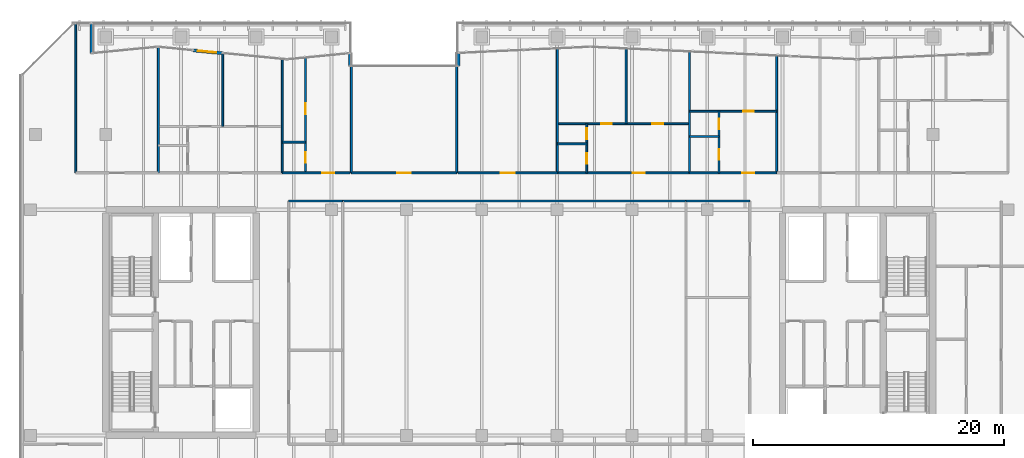
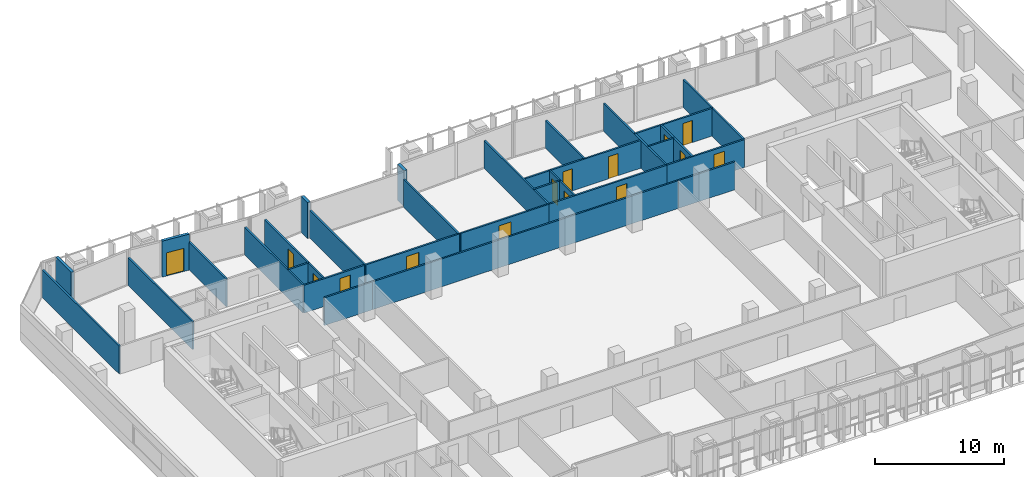
# One storey, part 30 of 39: 30 walls, 15 doors, 15 openings.
"""IFC4 building model written with IfcOpenShell, lengths in metres."""

from ifc_helpers import new_model, si_unit, direction, frame, frame_2d, origin, place, context, subcontext, project, spatial, rectangle, extrude, material, layer, layer_set, type_object, element, fill, save


model = new_model("IFC4")

# Units and contexts
model_context = context("Model", 3, precision=1e-05, world=origin(), true_north=direction((0.0, 1.0)))
body_context = subcontext(model_context, "Body", "Model", "MODEL_VIEW")
ifc_project = project(units=[si_unit("LENGTHUNIT", "METRE"), si_unit("AREAUNIT", "SQUARE_METRE"), si_unit("VOLUMEUNIT", "CUBIC_METRE"), si_unit("PLANEANGLEUNIT", "RADIAN"), si_unit("MASSUNIT", "GRAM", prefix="KILO")], contexts=[model_context])

# Site, building, storey
site_placement = place(None, origin())
site = spatial("IfcSite", under=ifc_project, at=site_placement, CompositionType="ELEMENT")
building_placement = place(site_placement, origin())
building = spatial("IfcBuilding", under=site, at=building_placement, Name="Tanjung Sevakor Pilgrim Tower", CompositionType="ELEMENT")
storey_placement = place(building_placement, frame((0.0, 0.0, 108.570068359375)))
storey = spatial("IfcBuildingStorey", under=building, at=storey_placement, Name="L30", CompositionType="ELEMENT", Elevation=108.570068359375)

# Walls
ifc_material_1 = material(Name="Concrete C40/50", Category="concrete")
ifc_layer_1 = layer(ifc_material_1, 0.14990234375)
ifc_layer_set_1 = layer_set([ifc_layer_1], Name="WT-COMP-150")
wall_type_1 = type_object("IfcWallType", Name="WT-COMP-150", PredefinedType="SOLIDWALL", material=ifc_layer_set_1)
wall_1_placement = place(storey_placement, frame((38.60009765625, 43.300048828125, 0.0), z_axis=(0.0, 0.0, 1.0), x_axis=(1.0, 0.0, 0.0)))
element("IfcWall", 1, at=wall_1_placement, inside=storey, type_object=wall_type_1, Name="L30 Partition IW-L30-032", PredefinedType="SOLIDWALL", context=body_context, shape_type="SweptSolid", body=[
    extrude(rectangle(XDim=4.2998046875, YDim=0.14990234375, at=frame_2d((2.14990234375, 0.0))), origin(), (0.0, 0.0, 1.0), 2.6298828125),
])
wall_2_placement = place(storey_placement, frame((42.89990234375, 43.300048828125, 0.0), z_axis=(0.0, 0.0, 1.0), x_axis=(1.0, 0.0, 0.0)))
element("IfcWall", 2, at=wall_2_placement, inside=storey, type_object=wall_type_1, Name="L30 Partition IW-L30-035", PredefinedType="SOLIDWALL", context=body_context, shape_type="SweptSolid", body=[
    extrude(rectangle(XDim=27.400146484375, YDim=0.14990234375, at=frame_2d((13.7001953125, 0.0))), origin(), (0.0, 0.0, 1.0), 2.6298828125),
])
wall_3_placement = place(storey_placement, frame((70.300048828125, 43.300048828125, 0.0), z_axis=(0.0, 0.0, 1.0), x_axis=(1.0, 0.0, 0.0)))
element("IfcWall", 3, at=wall_3_placement, inside=storey, type_object=wall_type_1, Name="L30 Partition IW-L30-041", PredefinedType="SOLIDWALL", context=body_context, shape_type="SweptSolid", body=[
    extrude(rectangle(XDim=5.099853515625, YDim=0.14990234375, at=frame_2d((2.5498046875, 0.0))), origin(), (0.0, 0.0, 1.0), 2.6298828125),
])

# Wall, opening, door
wall_4_placement = place(storey_placement, frame((43.60009765625, 45.550048828125, 0.0), z_axis=(0.0, 0.0, 1.0), x_axis=(1.0, 0.0, 0.0)))
wall_4 = element("IfcWall", 4, at=wall_4_placement, inside=storey, type_object=wall_type_1, Name="L30 Partition IW-L30-053", PredefinedType="SOLIDWALL", context=body_context, shape_type="SweptSolid", body=[
    extrude(rectangle(XDim=8.39990234375, YDim=0.14990234375, at=frame_2d((4.199951171875, 0.0))), origin(), (0.0, 0.0, 1.0), 2.6298828125),
])
opening_1_placement = place(wall_4_placement, frame((3.64990234375, 0.0, 0.0)))
opening_1 = element("IfcOpeningElement", 5, at=opening_1_placement, cuts=wall_4, Name="Opening ID-RM2", PredefinedType="OPENING", context=body_context, shape_type="SweptSolid", body=[
    extrude(rectangle(XDim=1.10009765625, YDim=2.14990234375, at=frame_2d((0.550048828125, 1.074951171875))), frame((0.0, 0.0849609375, 0.0), z_axis=(0.0, -1.0, 0.0), x_axis=(1.0, 0.0, 0.0)), (0.0, 0.0, 1.0), 0.169921875),
])
ifc_material_2 = material(Name="Hardwood Timber", Category="wood")
door_type_1 = type_object("IfcDoorType", Name="DT-INT-1100", OperationType="NOTDEFINED", PredefinedType="DOOR", material=ifc_material_2)
door_1_placement = place(opening_1_placement, origin())
door_1 = element("IfcDoor", 6, at=door_1_placement, inside=storey, type_object=door_type_1, Name="L30 North Cleft Reading Room Door", OperationType="SINGLE_SWING_LEFT", OverallHeight=2.14990234375, OverallWidth=1.10009765625, PredefinedType="DOOR", context=body_context, shape_type="SweptSolid", body=[
    extrude(rectangle(XDim=1.10009765625, YDim=2.14990234375, at=frame_2d((0.550048828125, 1.074951171875))), frame((0.0, 0.02490234375, 0.0), z_axis=(0.0, -1.0, 0.0), x_axis=(1.0, 0.0, 0.0)), (0.0, 0.0, 1.0), 0.050048828125),
])
fill(opening_1, door_1)

# Walls
for number, where, z_axis, x_axis, name in (
    (7, (43.60009765625, 45.550048828125, 0.0), (0.0, 0.0, 1.0), (0.0, 1.0, 0.0), "L30 Partition IW-L30-054"),
    (8, (52.0, 45.550048828125, 0.0), (0.0, 0.0, 1.0), (0.0, 1.0, 0.0), "L30 Partition IW-L30-055"),
):
    element("IfcWall", number, at=place(storey_placement, frame(where, z_axis=z_axis, x_axis=x_axis)), inside=storey, type_object=wall_type_1, Name=name, PredefinedType="SOLIDWALL", context=body_context, shape_type="SweptSolid", body=[
        extrude(rectangle(XDim=8.52490234375, YDim=0.14990234375, at=frame_2d((4.262451171875, 0.0))), origin(), (0.0, 0.0, 1.0), 2.6298828125),
    ])
wall_5_placement = place(storey_placement, frame((21.60009765625, 45.550048828125, 0.0), z_axis=(0.0, 0.0, 1.0), x_axis=(0.0, 1.0, 0.0)))
element("IfcWall", 9, at=wall_5_placement, inside=storey, type_object=wall_type_1, Name="L30 Partition IW-L30-089", PredefinedType="SOLIDWALL", context=body_context, shape_type="SweptSolid", body=[
    extrude(rectangle(XDim=11.925048828125, YDim=0.14990234375, at=frame_2d((5.96240234375, 0.0))), origin(), (0.0, 0.0, 1.0), 2.6298828125),
])
wall_6_placement = place(storey_placement, frame((28.194091796875, 45.550048828125, 0.0), z_axis=(0.0, 0.0, 1.0), x_axis=(0.0, 1.0, 0.0)))
element("IfcWall", 10, at=wall_6_placement, inside=storey, type_object=wall_type_1, Name="L30 Partition IW-L30-090", PredefinedType="SOLIDWALL", context=body_context, shape_type="SweptSolid", body=[
    extrude(rectangle(XDim=10.0400390625, YDim=0.14990234375, at=frame_2d((5.02001953125, 0.0))), origin(), (0.0, 0.0, 1.0), 2.6298828125),
])
wall_7_placement = place(storey_placement, frame((38.0849609375, 45.550048828125, 0.0), z_axis=(0.0, 0.0, 1.0), x_axis=(0.0, 1.0, 0.0)))
element("IfcWall", 11, at=wall_7_placement, inside=storey, type_object=wall_type_1, Name="L30 Partition IW-L30-092", PredefinedType="SOLIDWALL", context=body_context, shape_type="SweptSolid", body=[
    extrude(rectangle(XDim=9.079833984375, YDim=0.14990234375, at=frame_2d((4.5400390625, 0.0))), origin(), (0.0, 0.0, 1.0), 2.6298828125),
])

# Wall, opening, door
wall_8_placement = place(storey_placement, frame((38.0849609375, 45.550048828125, 0.0), z_axis=(0.0, 0.0, 1.0), x_axis=(1.0, 0.0, 0.0)))
wall_8 = element("IfcWall", 12, at=wall_8_placement, inside=storey, type_object=wall_type_1, Name="L30 Partition IW-L30-100", PredefinedType="SOLIDWALL", context=body_context, shape_type="SweptSolid", body=[
    extrude(rectangle(XDim=5.39501953125, YDim=0.14990234375, at=frame_2d((2.697509765625, 0.0))), origin(), (0.0, 0.0, 1.0), 2.6298828125),
])
opening_2_placement = place(wall_8_placement, frame((3.1875, 0.0, 0.0)))
opening_2 = element("IfcOpeningElement", 13, at=opening_2_placement, cuts=wall_8, Name="Opening ID-FD2", PredefinedType="OPENING", context=body_context, shape_type="SweptSolid", body=[
    extrude(rectangle(XDim=0.949951171875, YDim=2.14990234375, at=frame_2d((0.47509765625, 1.074951171875))), frame((0.0, 0.0849609375, 0.0), z_axis=(0.0, -1.0, 0.0), x_axis=(1.0, 0.0, 0.0)), (0.0, 0.0, 1.0), 0.169921875),
])
ifc_material_3 = material(Name="Fire-Rated Timber", Category="wood")
door_type_2 = type_object("IfcDoorType", Name="DT-FIRE-950", OperationType="NOTDEFINED", PredefinedType="DOOR", material=ifc_material_3)
door_2_placement = place(opening_2_placement, origin())
door_2 = element("IfcDoor", 14, at=door_2_placement, inside=storey, type_object=door_type_2, Name="Hotel Guestroom Entrance", OperationType="SINGLE_SWING_LEFT", OverallHeight=2.14990234375, OverallWidth=0.949951171875, PredefinedType="DOOR", context=body_context, shape_type="SweptSolid", body=[
    extrude(rectangle(XDim=0.949951171875, YDim=2.14990234375, at=frame_2d((0.47509765625, 1.074951171875))), frame((0.0, 0.02490234375, 0.0), z_axis=(0.0, -1.0, 0.0), x_axis=(1.0, 0.0, 0.0)), (0.0, 0.0, 1.0), 0.050048828125),
])
fill(opening_2, door_2)

# Wall
wall_9_placement = place(storey_placement, frame((60.03271484375, 45.550048828125, 0.0), z_axis=(0.0, 0.0, 1.0), x_axis=(0.0, 1.0, 0.0)))
element("IfcWall", 15, at=wall_9_placement, inside=storey, type_object=wall_type_1, Name="L30 Partition IW-L30-102", PredefinedType="SOLIDWALL", context=body_context, shape_type="SweptSolid", body=[
    extrude(rectangle(XDim=9.921875, YDim=0.14990234375, at=frame_2d((4.9609375, 0.0))), origin(), (0.0, 0.0, 1.0), 2.6298828125),
])

# Wall, opening, door
wall_10_placement = place(storey_placement, frame((52.1201171875, 45.550048828125, 0.0), z_axis=(0.0, 0.0, 1.0), x_axis=(1.0, 0.0, 0.0)))
wall_10 = element("IfcWall", 16, at=wall_10_placement, inside=storey, type_object=wall_type_1, Name="L30 Partition IW-L30-103", PredefinedType="SOLIDWALL", context=body_context, shape_type="SweptSolid", body=[
    extrude(rectangle(XDim=7.91259765625, YDim=0.14990234375, at=frame_2d((3.956298828125, 0.0))), origin(), (0.0, 0.0, 1.0), 2.6298828125),
])
opening_3_placement = place(wall_10_placement, frame((3.406494140625, 0.0, 0.0)))
opening_3 = element("IfcOpeningElement", 17, at=opening_3_placement, cuts=wall_10, Name="Opening ID-FD0", PredefinedType="OPENING", context=body_context, shape_type="SweptSolid", body=[
    extrude(rectangle(XDim=1.10009765625, YDim=2.14990234375, at=frame_2d((0.550048828125, 1.074951171875))), frame((0.0, 0.0849609375, 0.0), z_axis=(0.0, -1.0, 0.0), x_axis=(1.0, 0.0, 0.0)), (0.0, 0.0, 1.0), 0.169921875),
])
ifc_material_4 = material(Name="Fire-Rated Steel S355J2", Category="steel")
door_type_3 = type_object("IfcDoorType", Name="DT-FIRE-1100", OperationType="NOTDEFINED", PredefinedType="DOOR", material=ifc_material_4)
door_3_placement = place(opening_3_placement, origin())
door_3 = element("IfcDoor", 18, at=door_3_placement, inside=storey, type_object=door_type_3, Name="Council Room Door", OperationType="SINGLE_SWING_RIGHT", OverallHeight=2.14990234375, OverallWidth=1.10009765625, PredefinedType="DOOR", context=body_context, shape_type="SweptSolid", body=[
    extrude(rectangle(XDim=1.10009765625, YDim=2.14990234375, at=frame_2d((0.550048828125, 1.074951171875))), frame((0.0, 0.02490234375, 0.0), z_axis=(0.0, -1.0, 0.0), x_axis=(1.0, 0.0, 0.0)), (0.0, 0.0, 1.0), 0.050048828125),
])
fill(opening_3, door_3)

# Wall
wall_11_placement = place(storey_placement, frame((70.583251953125, 45.550048828125, 0.0), z_axis=(0.0, 0.0, 1.0), x_axis=(0.0, 1.0, 0.0)))
element("IfcWall", 19, at=wall_11_placement, inside=storey, type_object=wall_type_1, Name="L30 Partition IW-L30-104", PredefinedType="SOLIDWALL", context=body_context, shape_type="SweptSolid", body=[
    extrude(rectangle(XDim=9.67236328125, YDim=0.14990234375, at=frame_2d((4.836181640625, 0.0))), origin(), (0.0, 0.0, 1.0), 2.6298828125),
])

# Wall, opening, door
wall_12_placement = place(storey_placement, frame((60.03271484375, 45.550048828125, 0.0), z_axis=(0.0, 0.0, 1.0), x_axis=(1.0, 0.0, 0.0)))
wall_12 = element("IfcWall", 20, at=wall_12_placement, inside=storey, type_object=wall_type_1, Name="L30 Partition IW-L30-109", PredefinedType="SOLIDWALL", context=body_context, shape_type="SweptSolid", body=[
    extrude(rectangle(XDim=10.550537109375, YDim=0.14990234375, at=frame_2d((5.275390625, 0.0))), origin(), (0.0, 0.0, 1.0), 2.6298828125),
])
opening_4_placement = place(wall_12_placement, frame((6.01513671875, 0.0, 0.0)))
opening_4 = element("IfcOpeningElement", 21, at=opening_4_placement, cuts=wall_12, Name="Opening ID-FD2", PredefinedType="OPENING", context=body_context, shape_type="SweptSolid", body=[
    extrude(rectangle(XDim=0.949951171875, YDim=2.14990234375, at=frame_2d((0.47509765625, 1.074951171875))), frame((0.0, 0.0849609375, 0.0), z_axis=(0.0, -1.0, 0.0), x_axis=(1.0, 0.0, 0.0)), (0.0, 0.0, 1.0), 0.169921875),
])
door_4_placement = place(opening_4_placement, origin())
door_4 = element("IfcDoor", 22, at=door_4_placement, inside=storey, type_object=door_type_2, Name="Suite Entrance", OperationType="SINGLE_SWING_LEFT", OverallHeight=2.14990234375, OverallWidth=0.949951171875, PredefinedType="DOOR", context=body_context, shape_type="SweptSolid", body=[
    extrude(rectangle(XDim=0.949951171875, YDim=2.14990234375, at=frame_2d((0.47509765625, 1.074951171875))), frame((0.0, 0.02490234375, 0.0), z_axis=(0.0, -1.0, 0.0), x_axis=(1.0, 0.0, 0.0)), (0.0, 0.0, 1.0), 0.050048828125),
])
fill(opening_4, door_4)

# Wall
wall_13_placement = place(storey_placement, frame((77.536865234375, 45.550048828125, 0.0), z_axis=(0.0, 0.0, 1.0), x_axis=(0.0, 1.0, 0.0)))
element("IfcWall", 23, at=wall_13_placement, inside=storey, type_object=wall_type_1, Name="L30 Partition IW-L30-110", PredefinedType="SOLIDWALL", context=body_context, shape_type="SweptSolid", body=[
    extrude(rectangle(XDim=9.345947265625, YDim=0.14990234375, at=frame_2d((4.6728515625, 0.0))), origin(), (0.0, 0.0, 1.0), 2.6298828125),
])

# Wall, opening, door
wall_14_placement = place(storey_placement, frame((70.583251953125, 45.550048828125, 0.0), z_axis=(0.0, 0.0, 1.0), x_axis=(1.0, 0.0, 0.0)))
wall_14 = element("IfcWall", 24, at=wall_14_placement, inside=storey, type_object=wall_type_1, Name="L30 Partition IW-L30-114", PredefinedType="SOLIDWALL", context=body_context, shape_type="SweptSolid", body=[
    extrude(rectangle(XDim=6.95361328125, YDim=0.14990234375, at=frame_2d((3.476806640625, 0.0))), origin(), (0.0, 0.0, 1.0), 2.6298828125),
])
opening_5_placement = place(wall_14_placement, frame((4.216796875, 0.0, 0.0)))
opening_5 = element("IfcOpeningElement", 25, at=opening_5_placement, cuts=wall_14, Name="Opening ID-FD2", PredefinedType="OPENING", context=body_context, shape_type="SweptSolid", body=[
    extrude(rectangle(XDim=0.949951171875, YDim=2.14990234375, at=frame_2d((0.47509765625, 1.074951171875))), frame((0.0, 0.0849609375, 0.0), z_axis=(0.0, -1.0, 0.0), x_axis=(1.0, 0.0, 0.0)), (0.0, 0.0, 1.0), 0.169921875),
])
door_5_placement = place(opening_5_placement, origin())
door_5 = element("IfcDoor", 26, at=door_5_placement, inside=storey, type_object=door_type_2, Name="Residence Entrance", OperationType="SINGLE_SWING_LEFT", OverallHeight=2.14990234375, OverallWidth=0.949951171875, PredefinedType="DOOR", context=body_context, shape_type="SweptSolid", body=[
    extrude(rectangle(XDim=0.949951171875, YDim=2.14990234375, at=frame_2d((0.47509765625, 1.074951171875))), frame((0.0, 0.02490234375, 0.0), z_axis=(0.0, -1.0, 0.0), x_axis=(1.0, 0.0, 0.0)), (0.0, 0.0, 1.0), 0.050048828125),
])
fill(opening_5, door_5)

# Walls
ifc_material_5 = material(Name="Precast concrete C45/55", Category="concrete")
ifc_layer_2 = layer(ifc_material_5, 0.25)
ifc_layer_set_2 = layer_set([ifc_layer_2], Name="WT-EW-STN3")
wall_type_2 = type_object("IfcWallType", Name="WT-EW-STN3", PredefinedType="SOLIDWALL", material=ifc_layer_set_2)
wall_15_placement = place(storey_placement, frame((52.125, 55.1005859375, 0.0), z_axis=(0.0, 0.0, 1.0), x_axis=(0.0, -1.0, 0.0)))
element("IfcWall", 27, at=wall_15_placement, inside=storey, type_object=wall_type_2, Name="L30 MAIN Exterior Wall 25", PredefinedType="SOLIDWALL", context=body_context, shape_type="SweptSolid", body=[
    extrude(rectangle(XDim=1.025634765625, YDim=0.25, at=frame_2d((0.5126953125, 0.0))), origin(), (0.0, 0.0, 1.0), 3.409912109375),
])
wall_16_placement = place(storey_placement, frame((43.47509765625, 54.074951171875, 0.0), z_axis=(0.0, 0.0, 1.0), x_axis=(0.0, 1.0, 0.0)))
element("IfcWall", 28, at=wall_16_placement, inside=storey, type_object=wall_type_2, Name="L30 MAIN Exterior Wall 27", PredefinedType="SOLIDWALL", context=body_context, shape_type="SweptSolid", body=[
    extrude(rectangle(XDim=1.00732421875, YDim=0.25, at=frame_2d((0.503662109375, 0.0))), origin(), (0.0, 0.0, 1.0), 3.409912109375),
])

# Wall, opening, door
wall_17_placement = place(storey_placement, frame((33.287841796875, 55.095703125, 0.0), z_axis=(0.0, 0.0, 1.0), x_axis=(-0.995322842245, 0.096604553235, 0.0)))
wall_17 = element("IfcWall", 29, at=wall_17_placement, inside=storey, type_object=wall_type_2, Name="L30 S-Curve Terrace Threshold Wall 29", PredefinedType="SOLIDWALL", context=body_context, shape_type="SweptSolid", body=[
    extrude(rectangle(XDim=2.309814453125, YDim=0.25, at=frame_2d((1.15478515625, 0.0))), origin(), (0.0, 0.0, 1.0), 3.409912109375),
])
opening_6_placement = place(wall_17_placement, frame((0.4599609375, 0.0, 0.0)))
opening_6 = element("IfcOpeningElement", 30, at=opening_6_placement, cuts=wall_17, Name="Opening ED-TER-1500", PredefinedType="OPENING", context=body_context, shape_type="SweptSolid", body=[
    extrude(rectangle(XDim=1.5, YDim=2.199951171875, at=frame_2d((0.75, 1.10009765625))), frame((0.0, 0.135009765625, 0.0), z_axis=(0.0, -1.0, 0.0), x_axis=(1.0, 0.0, 0.0)), (0.0, 0.0, 1.0), 0.27001953125),
])
ifc_material_6 = material(Name="Anodised Aluminium and Laminated Glass", Category="aluminium")
door_type_4 = type_object("IfcDoorType", Name="DTYP-ED-TER-1500", OperationType="DOUBLE_DOOR_SINGLE_SWING", PredefinedType="DOOR", material=ifc_material_6)
door_6_placement = place(opening_6_placement, frame((1.5, 0.0, 0.0), z_axis=(0.0, 0.0, 1.0), x_axis=(-1.0, 0.0, 0.0)))
door_6 = element("IfcDoor", 31, at=door_6_placement, inside=storey, type_object=door_type_4, Name="L30 S-Curve Terrace Access Door 29", OperationType="SINGLE_SWING_LEFT", OverallHeight=2.199951171875, OverallWidth=1.5, PredefinedType="DOOR", context=body_context, shape_type="SweptSolid", body=[
    extrude(rectangle(XDim=1.5, YDim=2.199951171875, at=frame_2d((0.75, 1.10009765625))), frame((0.0, 0.02490234375, 0.0), z_axis=(0.0, -1.0, 0.0), x_axis=(1.0, 0.0, 0.0)), (0.0, 0.0, 1.0), 0.050048828125),
])
fill(opening_6, door_6)

# Walls
wall_18_placement = place(storey_placement, frame((22.875, 55.082275390625, 0.0), z_axis=(0.0, 0.0, 1.0), x_axis=(0.0, 1.0, 0.0)))
element("IfcWall", 32, at=wall_18_placement, inside=storey, type_object=wall_type_2, Name="L30 MAIN Exterior Wall 32", PredefinedType="SOLIDWALL", context=body_context, shape_type="SweptSolid", body=[
    extrude(rectangle(XDim=2.392822265625, YDim=0.25, at=frame_2d((1.1962890625, 0.0))), origin(), (0.0, 0.0, 1.0), 3.409912109375),
])
ifc_material_7 = material(Name="Gypsum Board Partition", Category="gypsum board")
ifc_layer_3 = layer(ifc_material_7, 0.14990234375)
ifc_layer_set_3 = layer_set([ifc_layer_3], Name="WT-PART-150")
wall_type_3 = type_object("IfcWallType", Name="WT-PART-150", PredefinedType="PARTITIONING", material=ifc_layer_set_3)
wall_19_placement = place(storey_placement, frame((33.33740234375, 49.25, 0.0), z_axis=(0.0, 0.0, 1.0), x_axis=(0.0, 1.0, 0.0)))
element("IfcWall", 33, at=wall_19_placement, inside=storey, type_object=wall_type_3, Name="L30 Partition IW-L30-095", PredefinedType="PARTITIONING", context=body_context, shape_type="SweptSolid", body=[
    extrude(rectangle(XDim=5.8408203125, YDim=0.14990234375, at=frame_2d((2.92041015625, 0.0))), origin(), (0.0, 0.0, 1.0), 2.6298828125),
])
wall_20_placement = place(storey_placement, frame((38.0849609375, 48.0, 0.0), z_axis=(0.0, 0.0, 1.0), x_axis=(1.0, 0.0, 0.0)))
element("IfcWall", 34, at=wall_20_placement, inside=storey, type_object=wall_type_3, Name="L30 Partition IW-L30-098", PredefinedType="PARTITIONING", context=body_context, shape_type="SweptSolid", body=[
    extrude(rectangle(XDim=1.85009765625, YDim=0.14990234375, at=frame_2d((0.925048828125, 0.0))), origin(), (0.0, 0.0, 1.0), 2.6298828125),
])

# Wall, openings, doors
wall_21_placement = place(storey_placement, frame((39.93505859375, 45.550048828125, 0.0), z_axis=(0.0, 0.0, 1.0), x_axis=(0.0, 1.0, 0.0)))
wall_21 = element("IfcWall", 35, at=wall_21_placement, inside=storey, type_object=wall_type_3, Name="L30 Partition IW-L30-099", PredefinedType="PARTITIONING", context=body_context, shape_type="SweptSolid", body=[
    extrude(rectangle(XDim=9.1884765625, YDim=0.14990234375, at=frame_2d((4.59423828125, 0.0))), origin(), (0.0, 0.0, 1.0), 2.6298828125),
])
opening_7_placement = place(wall_21_placement, frame((0.800048828125, 0.0, 0.0)))
opening_7 = element("IfcOpeningElement", 36, at=opening_7_placement, cuts=wall_21, Name="Opening ID-WC1", PredefinedType="OPENING", context=body_context, shape_type="SweptSolid", body=[
    extrude(rectangle(XDim=0.85009765625, YDim=2.10009765625, at=frame_2d((0.425048828125, 1.050048828125))), frame((0.0, 0.0849609375, 0.0), z_axis=(0.0, -1.0, 0.0), x_axis=(1.0, 0.0, 0.0)), (0.0, 0.0, 1.0), 0.169921875),
])
opening_8_placement = place(wall_21_placement, frame((4.68994140625, 0.0, 0.0)))
opening_8 = element("IfcOpeningElement", 37, at=opening_8_placement, cuts=wall_21, Name="Opening ID-WC1", PredefinedType="OPENING", context=body_context, shape_type="SweptSolid", body=[
    extrude(rectangle(XDim=0.85009765625, YDim=2.10009765625, at=frame_2d((0.425048828125, 1.050048828125))), frame((0.0, 0.0849609375, 0.0), z_axis=(0.0, -1.0, 0.0), x_axis=(1.0, 0.0, 0.0)), (0.0, 0.0, 1.0), 0.169921875),
])
ifc_material_8 = material(Name="Moisture-Resistant Timber", Category="wood")
door_type_5 = type_object("IfcDoorType", Name="DT-INT-850", OperationType="NOTDEFINED", PredefinedType="DOOR", material=ifc_material_8)
door_7_placement = place(opening_7_placement, origin())
door_7 = element("IfcDoor", 38, at=door_7_placement, inside=storey, type_object=door_type_5, Name="Bathroom Door", OperationType="SINGLE_SWING_LEFT", OverallHeight=2.10009765625, OverallWidth=0.85009765625, PredefinedType="DOOR", context=body_context, shape_type="SweptSolid", body=[
    extrude(rectangle(XDim=0.85009765625, YDim=2.10009765625, at=frame_2d((0.425048828125, 1.050048828125))), frame((0.0, 0.02490234375, 0.0), z_axis=(0.0, -1.0, 0.0), x_axis=(1.0, 0.0, 0.0)), (0.0, 0.0, 1.0), 0.050048828125),
])
fill(opening_7, door_7)
door_8_placement = place(opening_8_placement, origin())
door_8 = element("IfcDoor", 39, at=door_8_placement, inside=storey, type_object=door_type_5, Name="Study Nook Door", OperationType="SINGLE_SWING_RIGHT", OverallHeight=2.10009765625, OverallWidth=0.85009765625, PredefinedType="DOOR", context=body_context, shape_type="SweptSolid", body=[
    extrude(rectangle(XDim=0.85009765625, YDim=2.10009765625, at=frame_2d((0.425048828125, 1.050048828125))), frame((0.0, 0.02490234375, 0.0), z_axis=(0.0, -1.0, 0.0), x_axis=(1.0, 0.0, 0.0)), (0.0, 0.0, 1.0), 0.050048828125),
])
fill(opening_8, door_8)

# Wall
wall_22_placement = place(storey_placement, frame((60.03271484375, 47.862060546875, 0.0), z_axis=(0.0, 0.0, 1.0), x_axis=(1.0, 0.0, 0.0)))
element("IfcWall", 40, at=wall_22_placement, inside=storey, type_object=wall_type_3, Name="L30 Partition IW-L30-105", PredefinedType="PARTITIONING", context=body_context, shape_type="SweptSolid", body=[
    extrude(rectangle(XDim=2.35009765625, YDim=0.14990234375, at=frame_2d((1.175048828125, 0.0))), origin(), (0.0, 0.0, 1.0), 2.6298828125),
])

# Wall, openings, doors
wall_23_placement = place(storey_placement, frame((62.3828125, 45.550048828125, 0.0), z_axis=(0.0, 0.0, 1.0), x_axis=(0.0, 1.0, 0.0)))
wall_23 = element("IfcWall", 41, at=wall_23_placement, inside=storey, type_object=wall_type_3, Name="L30 Partition IW-L30-106", PredefinedType="PARTITIONING", context=body_context, shape_type="SweptSolid", body=[
    extrude(rectangle(XDim=3.91845703125, YDim=0.14990234375, at=frame_2d((1.959228515625, 0.0))), origin(), (0.0, 0.0, 1.0), 2.6298828125),
])
opening_9_placement = place(wall_23_placement, frame((0.73095703125, 0.0, 0.0)))
opening_9 = element("IfcOpeningElement", 42, at=opening_9_placement, cuts=wall_23, Name="Opening ID-WC1", PredefinedType="OPENING", context=body_context, shape_type="SweptSolid", body=[
    extrude(rectangle(XDim=0.85009765625, YDim=2.10009765625, at=frame_2d((0.425048828125, 1.050048828125))), frame((0.0, 0.0849609375, 0.0), z_axis=(0.0, -1.0, 0.0), x_axis=(1.0, 0.0, 0.0)), (0.0, 0.0, 1.0), 0.169921875),
])
opening_10_placement = place(wall_23_placement, frame((2.690185546875, 0.0, 0.0)))
opening_10 = element("IfcOpeningElement", 43, at=opening_10_placement, cuts=wall_23, Name="Opening ID-WC1", PredefinedType="OPENING", context=body_context, shape_type="SweptSolid", body=[
    extrude(rectangle(XDim=0.85009765625, YDim=2.10009765625, at=frame_2d((0.425048828125, 1.050048828125))), frame((0.0, 0.0849609375, 0.0), z_axis=(0.0, -1.0, 0.0), x_axis=(1.0, 0.0, 0.0)), (0.0, 0.0, 1.0), 0.169921875),
])
door_9_placement = place(opening_9_placement, origin())
door_9 = element("IfcDoor", 44, at=door_9_placement, inside=storey, type_object=door_type_5, Name="Suite Kitchenette Door", OperationType="SINGLE_SWING_LEFT", OverallHeight=2.10009765625, OverallWidth=0.85009765625, PredefinedType="DOOR", context=body_context, shape_type="SweptSolid", body=[
    extrude(rectangle(XDim=0.85009765625, YDim=2.10009765625, at=frame_2d((0.425048828125, 1.050048828125))), frame((0.0, 0.02490234375, 0.0), z_axis=(0.0, -1.0, 0.0), x_axis=(1.0, 0.0, 0.0)), (0.0, 0.0, 1.0), 0.050048828125),
])
fill(opening_9, door_9)
door_10_placement = place(opening_10_placement, origin())
door_10 = element("IfcDoor", 45, at=door_10_placement, inside=storey, type_object=door_type_5, Name="Suite Bathroom Door", OperationType="SINGLE_SWING_RIGHT", OverallHeight=2.10009765625, OverallWidth=0.85009765625, PredefinedType="DOOR", context=body_context, shape_type="SweptSolid", body=[
    extrude(rectangle(XDim=0.85009765625, YDim=2.10009765625, at=frame_2d((0.425048828125, 1.050048828125))), frame((0.0, 0.02490234375, 0.0), z_axis=(0.0, -1.0, 0.0), x_axis=(1.0, 0.0, 0.0)), (0.0, 0.0, 1.0), 0.050048828125),
])
fill(opening_10, door_10)

# Wall
wall_24_placement = place(storey_placement, frame((65.51904296875, 49.468505859375, 0.0), z_axis=(0.0, 0.0, 1.0), x_axis=(0.0, 1.0, 0.0)))
element("IfcWall", 46, at=wall_24_placement, inside=storey, type_object=wall_type_3, Name="L30 Partition IW-L30-107", PredefinedType="PARTITIONING", context=body_context, shape_type="SweptSolid", body=[
    extrude(rectangle(XDim=5.99169921875, YDim=0.14990234375, at=frame_2d((2.995849609375, 0.0))), origin(), (0.0, 0.0, 1.0), 2.6298828125),
])

# Wall, openings, doors
wall_25_placement = place(storey_placement, frame((60.03271484375, 49.468505859375, 0.0), z_axis=(0.0, 0.0, 1.0), x_axis=(1.0, 0.0, 0.0)))
wall_25 = element("IfcWall", 47, at=wall_25_placement, inside=storey, type_object=wall_type_3, Name="L30 Partition IW-L30-108", PredefinedType="PARTITIONING", context=body_context, shape_type="SweptSolid", body=[
    extrude(rectangle(XDim=10.550537109375, YDim=0.14990234375, at=frame_2d((5.275390625, 0.0))), origin(), (0.0, 0.0, 1.0), 2.6298828125),
])
opening_11_placement = place(wall_25_placement, frame((3.4931640625, 0.0, 0.0)))
opening_11 = element("IfcOpeningElement", 48, at=opening_11_placement, cuts=wall_25, Name="Opening ID-WC1", PredefinedType="OPENING", context=body_context, shape_type="SweptSolid", body=[
    extrude(rectangle(XDim=0.85009765625, YDim=2.10009765625, at=frame_2d((0.425048828125, 1.050048828125))), frame((0.0, 0.0849609375, 0.0), z_axis=(0.0, -1.0, 0.0), x_axis=(1.0, 0.0, 0.0)), (0.0, 0.0, 1.0), 0.169921875),
])
opening_12_placement = place(wall_25_placement, frame((7.59326171875, 0.0, 0.0)))
opening_12 = element("IfcOpeningElement", 49, at=opening_12_placement, cuts=wall_25, Name="Opening ID-WC1", PredefinedType="OPENING", context=body_context, shape_type="SweptSolid", body=[
    extrude(rectangle(XDim=0.85009765625, YDim=2.10009765625, at=frame_2d((0.425048828125, 1.050048828125))), frame((0.0, 0.0849609375, 0.0), z_axis=(0.0, -1.0, 0.0), x_axis=(1.0, 0.0, 0.0)), (0.0, 0.0, 1.0), 0.169921875),
])
door_11_placement = place(opening_11_placement, origin())
door_11 = element("IfcDoor", 50, at=door_11_placement, inside=storey, type_object=door_type_5, Name="Suite Bedroom 1 Door", OperationType="SINGLE_SWING_LEFT", OverallHeight=2.10009765625, OverallWidth=0.85009765625, PredefinedType="DOOR", context=body_context, shape_type="SweptSolid", body=[
    extrude(rectangle(XDim=0.85009765625, YDim=2.10009765625, at=frame_2d((0.425048828125, 1.050048828125))), frame((0.0, 0.02490234375, 0.0), z_axis=(0.0, -1.0, 0.0), x_axis=(1.0, 0.0, 0.0)), (0.0, 0.0, 1.0), 0.050048828125),
])
fill(opening_11, door_11)
door_12_placement = place(opening_12_placement, origin())
door_12 = element("IfcDoor", 51, at=door_12_placement, inside=storey, type_object=door_type_5, Name="Suite Bedroom 2 Door", OperationType="SINGLE_SWING_RIGHT", OverallHeight=2.10009765625, OverallWidth=0.85009765625, PredefinedType="DOOR", context=body_context, shape_type="SweptSolid", body=[
    extrude(rectangle(XDim=0.85009765625, YDim=2.10009765625, at=frame_2d((0.425048828125, 1.050048828125))), frame((0.0, 0.02490234375, 0.0), z_axis=(0.0, -1.0, 0.0), x_axis=(1.0, 0.0, 0.0)), (0.0, 0.0, 1.0), 0.050048828125),
])
fill(opening_12, door_12)

# Wall
wall_26_placement = place(storey_placement, frame((70.583251953125, 48.44970703125, 0.0), z_axis=(0.0, 0.0, 1.0), x_axis=(1.0, 0.0, 0.0)))
element("IfcWall", 52, at=wall_26_placement, inside=storey, type_object=wall_type_3, Name="L30 Partition IW-L30-111", PredefinedType="PARTITIONING", context=body_context, shape_type="SweptSolid", body=[
    extrude(rectangle(XDim=2.349853515625, YDim=0.14990234375, at=frame_2d((1.1748046875, 0.0))), origin(), (0.0, 0.0, 1.0), 2.6298828125),
])

# Wall, openings, doors
wall_27_placement = place(storey_placement, frame((72.93310546875, 45.550048828125, 0.0), z_axis=(0.0, 0.0, 1.0), x_axis=(0.0, 1.0, 0.0)))
wall_27 = element("IfcWall", 53, at=wall_27_placement, inside=storey, type_object=wall_type_3, Name="L30 Partition IW-L30-112", PredefinedType="PARTITIONING", context=body_context, shape_type="SweptSolid", body=[
    extrude(rectangle(XDim=4.9150390625, YDim=0.14990234375, at=frame_2d((2.45751953125, 0.0))), origin(), (0.0, 0.0, 1.0), 2.6298828125),
])
opening_13_placement = place(wall_27_placement, frame((1.02490234375, 0.0, 0.0)))
opening_13 = element("IfcOpeningElement", 54, at=opening_13_placement, cuts=wall_27, Name="Opening ID-WC1", PredefinedType="OPENING", context=body_context, shape_type="SweptSolid", body=[
    extrude(rectangle(XDim=0.85009765625, YDim=2.10009765625, at=frame_2d((0.425048828125, 1.050048828125))), frame((0.0, 0.0849609375, 0.0), z_axis=(0.0, -1.0, 0.0), x_axis=(1.0, 0.0, 0.0)), (0.0, 0.0, 1.0), 0.169921875),
])
opening_14_placement = place(wall_27_placement, frame((3.482421875, 0.0, 0.0)))
opening_14 = element("IfcOpeningElement", 55, at=opening_14_placement, cuts=wall_27, Name="Opening ID-WC1", PredefinedType="OPENING", context=body_context, shape_type="SweptSolid", body=[
    extrude(rectangle(XDim=0.85009765625, YDim=2.10009765625, at=frame_2d((0.425048828125, 1.050048828125))), frame((0.0, 0.0849609375, 0.0), z_axis=(0.0, -1.0, 0.0), x_axis=(1.0, 0.0, 0.0)), (0.0, 0.0, 1.0), 0.169921875),
])
door_13_placement = place(opening_13_placement, origin())
door_13 = element("IfcDoor", 56, at=door_13_placement, inside=storey, type_object=door_type_5, Name="Residence Kitchenette Door", OperationType="SINGLE_SWING_RIGHT", OverallHeight=2.10009765625, OverallWidth=0.85009765625, PredefinedType="DOOR", context=body_context, shape_type="SweptSolid", body=[
    extrude(rectangle(XDim=0.85009765625, YDim=2.10009765625, at=frame_2d((0.425048828125, 1.050048828125))), frame((0.0, 0.02490234375, 0.0), z_axis=(0.0, -1.0, 0.0), x_axis=(1.0, 0.0, 0.0)), (0.0, 0.0, 1.0), 0.050048828125),
])
fill(opening_13, door_13)
door_14_placement = place(opening_14_placement, origin())
door_14 = element("IfcDoor", 57, at=door_14_placement, inside=storey, type_object=door_type_5, Name="Residence Bathroom Door", OperationType="SINGLE_SWING_LEFT", OverallHeight=2.10009765625, OverallWidth=0.85009765625, PredefinedType="DOOR", context=body_context, shape_type="SweptSolid", body=[
    extrude(rectangle(XDim=0.85009765625, YDim=2.10009765625, at=frame_2d((0.425048828125, 1.050048828125))), frame((0.0, 0.02490234375, 0.0), z_axis=(0.0, -1.0, 0.0), x_axis=(1.0, 0.0, 0.0)), (0.0, 0.0, 1.0), 0.050048828125),
])
fill(opening_14, door_14)

# Wall, opening, door
wall_28_placement = place(storey_placement, frame((70.583251953125, 50.465087890625, 0.0), z_axis=(0.0, 0.0, 1.0), x_axis=(1.0, 0.0, 0.0)))
wall_28 = element("IfcWall", 58, at=wall_28_placement, inside=storey, type_object=wall_type_3, Name="L30 Partition IW-L30-113", PredefinedType="PARTITIONING", context=body_context, shape_type="SweptSolid", body=[
    extrude(rectangle(XDim=6.95361328125, YDim=0.14990234375, at=frame_2d((3.476806640625, 0.0))), origin(), (0.0, 0.0, 1.0), 2.6298828125),
])
opening_15_placement = place(wall_28_placement, frame((4.266845703125, 0.0, 0.0)))
opening_15 = element("IfcOpeningElement", 59, at=opening_15_placement, cuts=wall_28, Name="Opening ID-WC1", PredefinedType="OPENING", context=body_context, shape_type="SweptSolid", body=[
    extrude(rectangle(XDim=0.85009765625, YDim=2.10009765625, at=frame_2d((0.425048828125, 1.050048828125))), frame((0.0, 0.0849609375, 0.0), z_axis=(0.0, -1.0, 0.0), x_axis=(1.0, 0.0, 0.0)), (0.0, 0.0, 1.0), 0.169921875),
])
door_15_placement = place(opening_15_placement, origin())
door_15 = element("IfcDoor", 60, at=door_15_placement, inside=storey, type_object=door_type_5, Name="Residence Bedroom Door", OperationType="SINGLE_SWING_RIGHT", OverallHeight=2.10009765625, OverallWidth=0.85009765625, PredefinedType="DOOR", context=body_context, shape_type="SweptSolid", body=[
    extrude(rectangle(XDim=0.85009765625, YDim=2.10009765625, at=frame_2d((0.425048828125, 1.050048828125))), frame((0.0, 0.02490234375, 0.0), z_axis=(0.0, -1.0, 0.0), x_axis=(1.0, 0.0, 0.0)), (0.0, 0.0, 1.0), 0.050048828125),
])
fill(opening_15, door_15)

save(model, "model.ifc")
